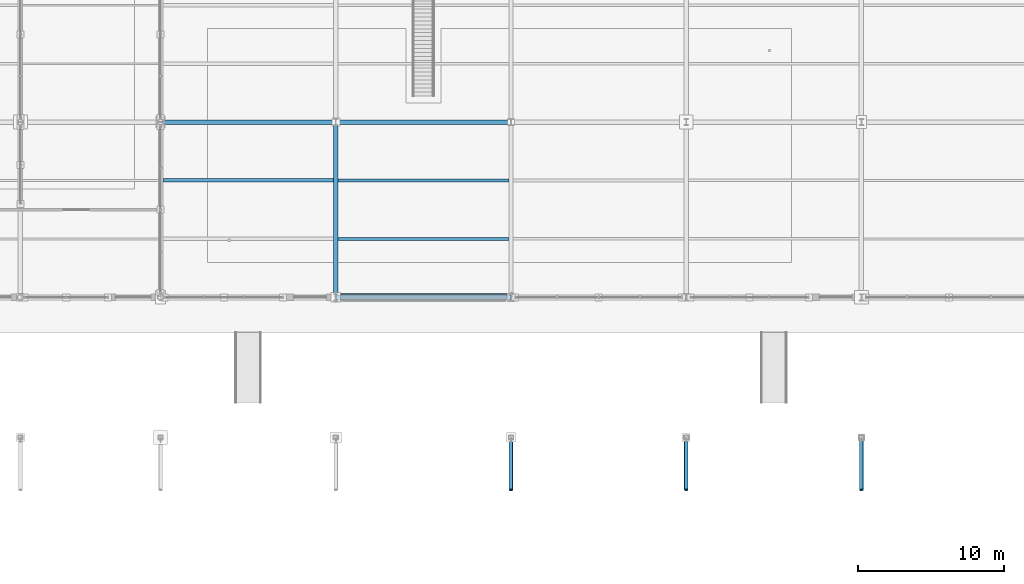
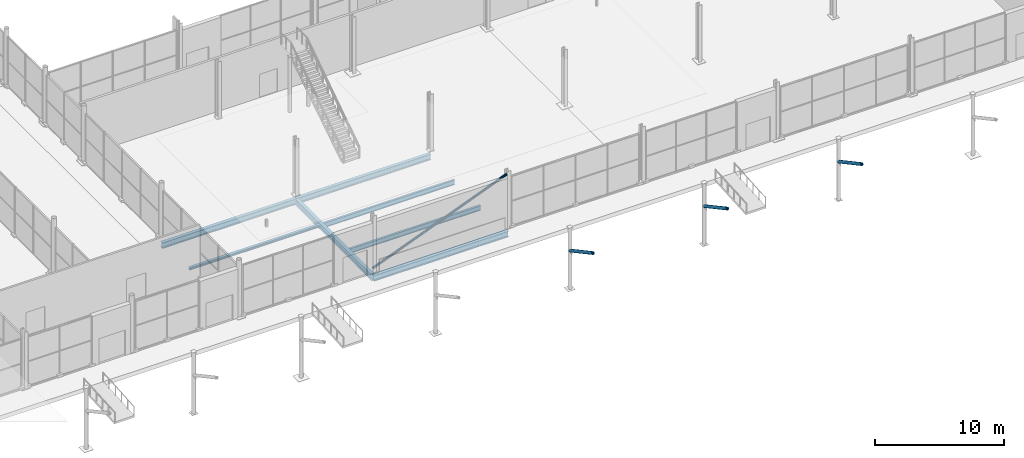
# One storey, part 65 of 196: 7 beams, 4 members.
"""IFC4 building model written with IfcOpenShell, lengths in metres."""

from ifc_helpers import new_model, si_unit, direction, frame, origin, origin_2d, place, context, subcontext, project, spatial, hollow_circle, i_section, extrude, material, material_profile, profile_set, type_object, element, save


model = new_model("IFC4")

# Units and contexts
model_context = context("Model", 3, precision=1e-05, world=origin(), true_north=direction((0.0, 1.0)))
body_context = subcontext(model_context, "Body", "Model", "MODEL_VIEW")
ifc_project = project(units=[si_unit("LENGTHUNIT", "METRE"), si_unit("AREAUNIT", "SQUARE_METRE"), si_unit("VOLUMEUNIT", "CUBIC_METRE"), si_unit("PLANEANGLEUNIT", "RADIAN"), si_unit("MASSUNIT", "GRAM", prefix="KILO")], contexts=[model_context])

# Site, building, storey
site_placement = place(None, origin())
site = spatial("IfcSite", under=ifc_project, at=site_placement, CompositionType="ELEMENT")
building_placement = place(site_placement, origin())
building = spatial("IfcBuilding", under=site, at=building_placement, Name="Merenkruunu Market Hall", CompositionType="ELEMENT")
storey_placement = place(building_placement, origin())
storey = spatial("IfcBuildingStorey", under=building, at=storey_placement, Name="L00", CompositionType="ELEMENT", Elevation=0.0)

# Members
ifc_material_1 = material(Name="Steel S355ML", Category="steel")
ifc_material_profile_1 = material_profile(ifc_material_1, hollow_circle(Radius=0.136474609375, WallThickness=0.012451171875, at=origin_2d()), Name="CHS 273x12.5")
ifc_profile_set_1 = profile_set([ifc_material_profile_1], Name="Steel S355ML")
member_type_1 = type_object("IfcMemberType", Name="Diagonal Sway Brace BR02", PredefinedType="BRACE", material=ifc_profile_set_1)
for number, where, z_axis, x_axis, name in (
    (1, (100.800048828125, 6.0, 3.60009765625), (0.0, -0.880325370235, 0.474370364294), (1.0, 0.0, 0.0), "MEM-V6-STRUT-101"),
    (2, (112.800048828125, 6.0, 3.60009765625), (0.0, -0.880325370235, 0.474370364294), (1.0, 0.0, 0.0), "MEM-V6-STRUT-113"),
    (3, (124.800048828125, 6.0, 3.60009765625), (0.0, -0.880325370235, 0.474370364294), (1.0, 0.0, 0.0), "MEM-V6-STRUT-125"),
):
    element("IfcMember", number, at=place(storey_placement, frame(where, z_axis=z_axis, x_axis=x_axis)), inside=storey, type_object=member_type_1, Name=name, PredefinedType="BRACE", context=body_context, shape_type="SweptSolid", body=[
        extrude(hollow_circle(Radius=0.136474609375, WallThickness=0.012451171875, at=origin_2d()), origin(), (0.0, 0.0, 1.0), 4.089599609375),
    ])
ifc_material_profile_2 = material_profile(ifc_material_1, hollow_circle(Radius=0.109619140625, WallThickness=0.010009765625, at=origin_2d()), Name="CHS 219.1x10")
ifc_profile_set_2 = profile_set([ifc_material_profile_2], Name="Steel S355ML")
member_type_2 = type_object("IfcMemberType", Name="Diagonal Sway Brace BR03", PredefinedType="BRACE", material=ifc_profile_set_2)
member_placement = place(storey_placement, frame((88.800048828125, 15.760009765625, 0.199951171875), z_axis=(0.931129537334, 0.0, 0.364688613347), x_axis=(0.0, 1.0, 0.0)))
element("IfcMember", 4, at=member_placement, inside=storey, type_object=member_type_2, Name="MEM-CBF07", PredefinedType="BRACE", context=body_context, shape_type="SweptSolid", body=[
    extrude(hollow_circle(Radius=0.109619140625, WallThickness=0.010009765625, at=origin_2d()), origin(), (0.0, 0.0, 1.0), 12.887451171875),
])

# Beams
ifc_material_2 = material(Name="Steel S355J2", Category="steel")
ifc_material_profile_3 = material_profile(ifc_material_2, i_section(OverallWidth=0.300048828125, OverallDepth=0.550048828125, WebThickness=0.014892578125, FlangeThickness=0.029052734375, FilletRadius=0.027099609375, at=origin_2d()), Name="HEB 550")
ifc_profile_set_3 = profile_set([ifc_material_profile_3], Name="Steel S355J2")
beam_type_1 = type_object("IfcBeamType", Name="Primary Floor Girder B02", PredefinedType="BEAM", material=ifc_profile_set_3)
for number, where, z_axis, x_axis, name in (
    (5, (88.800048828125, 15.60009765625, -0.574951171875), (1.0, 0.0, 0.0), (0.0, 1.0, 0.0), "BM-L00-B02-0018"),
    (6, (76.800048828125, 27.60009765625, -0.574951171875), (1.0, 0.0, 0.0), (0.0, 1.0, 0.0), "BM-L00-B02-0035"),
    (7, (88.800048828125, 27.60009765625, -0.574951171875), (1.0, 0.0, 0.0), (0.0, 1.0, 0.0), "BM-L00-B02-0036"),
):
    element("IfcBeam", number, at=place(storey_placement, frame(where, z_axis=z_axis, x_axis=x_axis)), inside=storey, type_object=beam_type_1, Name=name, PredefinedType="BEAM", context=body_context, shape_type="SweptSolid", body=[
        extrude(i_section(OverallWidth=0.300048828125, OverallDepth=0.550048828125, WebThickness=0.014892578125, FlangeThickness=0.029052734375, FilletRadius=0.027099609375, at=origin_2d()), origin(), (0.0, 0.0, 1.0), 12.0),
    ])
ifc_material_profile_4 = material_profile(ifc_material_2, i_section(OverallWidth=0.300048828125, OverallDepth=0.5400390625, WebThickness=0.012451171875, FlangeThickness=0.02392578125, FilletRadius=0.027099609375, at=origin_2d()), Name="HEA 550")
ifc_profile_set_4 = profile_set([ifc_material_profile_4], Name="Steel S355J2")
beam_type_2 = type_object("IfcBeamType", Name="Primary Floor Girder B06", PredefinedType="BEAM", material=ifc_profile_set_4)
beam_1_placement = place(storey_placement, frame((88.800048828125, 15.60009765625, -0.570068359375), z_axis=(0.0, 1.0, 0.0), x_axis=(-1.0, 0.0, 0.0)))
element("IfcBeam", 8, at=beam_1_placement, inside=storey, type_object=beam_type_2, Name="BM-L00-B06-0209", PredefinedType="BEAM", context=body_context, shape_type="SweptSolid", body=[
    extrude(i_section(OverallWidth=0.300048828125, OverallDepth=0.5400390625, WebThickness=0.012451171875, FlangeThickness=0.02392578125, FilletRadius=0.027099609375, at=origin_2d()), origin(), (0.0, 0.0, 1.0), 12.0),
])
ifc_material_profile_5 = material_profile(ifc_material_2, i_section(OverallWidth=0.18994140625, OverallDepth=0.449951171875, WebThickness=0.009521484375, FlangeThickness=0.0146484375, FilletRadius=0.02099609375, at=origin_2d()), Name="IPE 450")
ifc_profile_set_5 = profile_set([ifc_material_profile_5], Name="Steel S355J2")
beam_type_3 = type_object("IfcBeamType", Name="Secondary Floor Joist J01", PredefinedType="JOIST", material=ifc_profile_set_5)
for number, where, z_axis, x_axis, name in (
    (9, (88.952880859375, 19.60009765625, -0.52490234375), (1.0, 0.0, 0.0), (0.0, 1.0, 0.0), "BM-L00-J01-0376"),
    (10, (88.952880859375, 23.60009765625, -0.52490234375), (1.0, 0.0, 0.0), (0.0, 1.0, 0.0), "BM-L00-J01-0377"),
):
    element("IfcBeam", number, at=place(storey_placement, frame(where, z_axis=z_axis, x_axis=x_axis)), inside=storey, type_object=beam_type_3, Name=name, PredefinedType="JOIST", context=body_context, shape_type="SweptSolid", body=[
        extrude(i_section(OverallWidth=0.18994140625, OverallDepth=0.449951171875, WebThickness=0.009521484375, FlangeThickness=0.0146484375, FilletRadius=0.02099609375, at=origin_2d()), origin(), (0.0, 0.0, 1.0), 11.694091796875),
    ])
ifc_material_profile_6 = material_profile(ifc_material_2, i_section(OverallWidth=0.239990234375, OverallDepth=0.22998046875, WebThickness=0.007568359375, FlangeThickness=0.011962890625, FilletRadius=0.02099609375, at=origin_2d()), Name="HEA 240")
ifc_profile_set_6 = profile_set([ifc_material_profile_6], Name="Steel S355J2")
beam_type_4 = type_object("IfcBeamType", Name="Secondary Floor Joist J06", PredefinedType="JOIST", material=ifc_profile_set_6)
beam_2_placement = place(storey_placement, frame((76.952880859375, 23.60009765625, -0.4150390625), z_axis=(1.0, 0.0, 0.0), x_axis=(0.0, 1.0, 0.0)))
element("IfcBeam", 11, at=beam_2_placement, inside=storey, type_object=beam_type_4, Name="BM-L00-J06-0369", PredefinedType="JOIST", context=body_context, shape_type="SweptSolid", body=[
    extrude(i_section(OverallWidth=0.239990234375, OverallDepth=0.22998046875, WebThickness=0.007568359375, FlangeThickness=0.011962890625, FilletRadius=0.02099609375, at=origin_2d()), origin(), (0.0, 0.0, 1.0), 11.694091796875),
])

save(model, "model.ifc")
